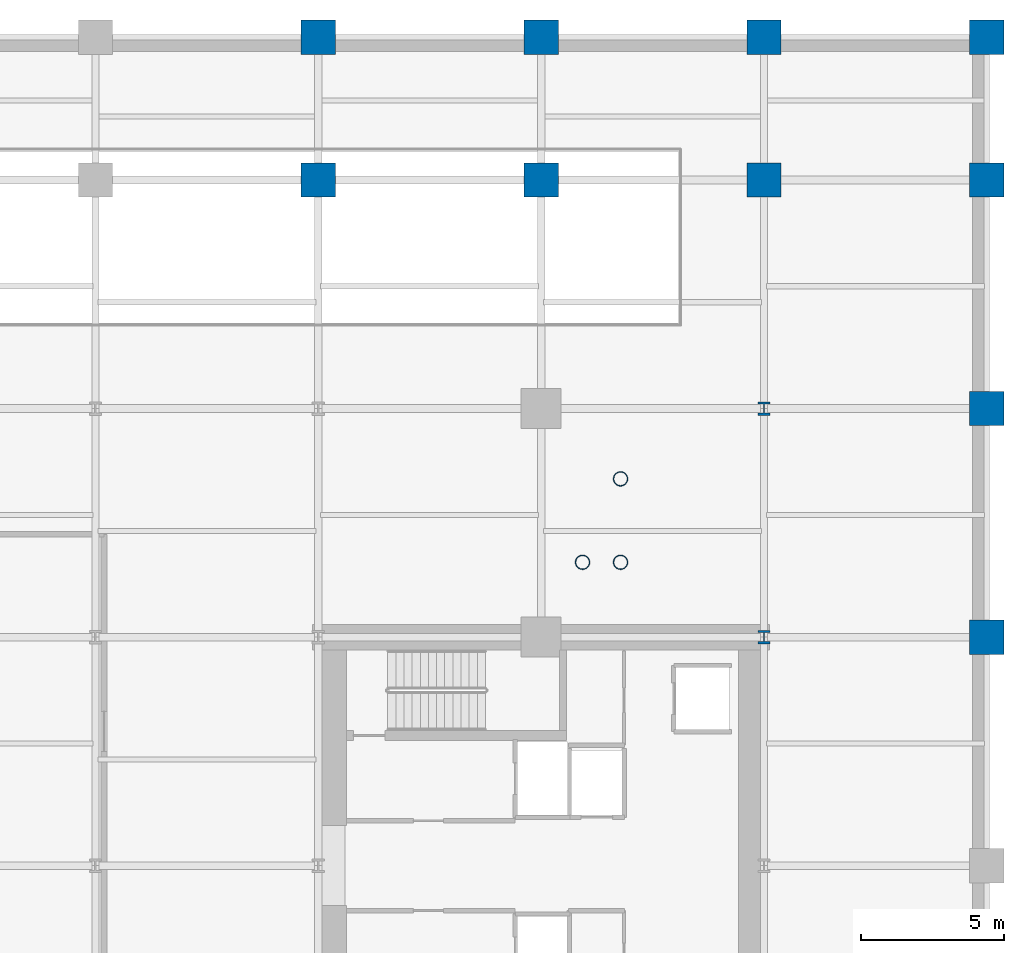
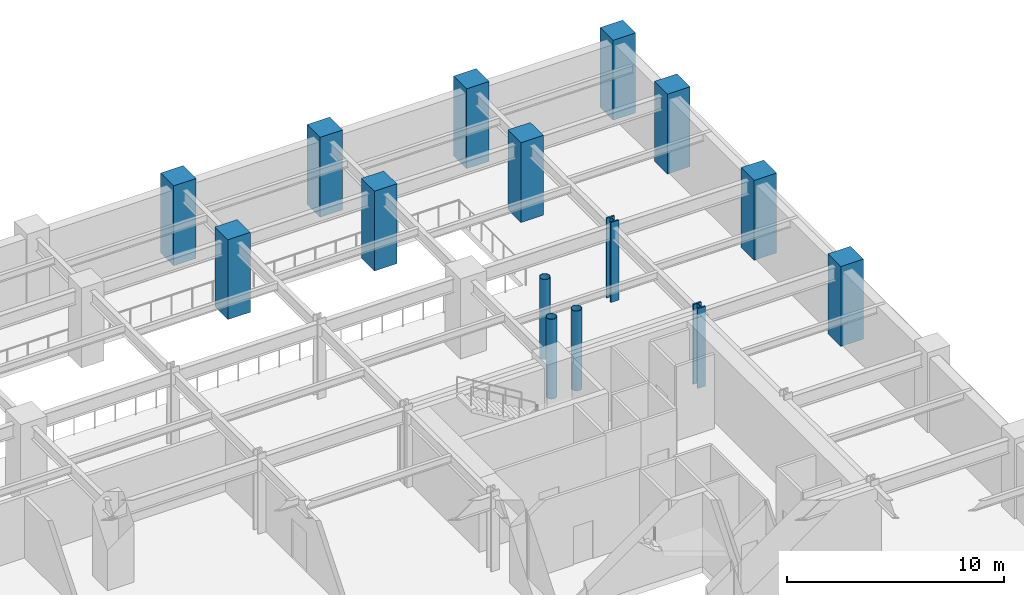
# One storey, part 2 of 10: 15 columns.
"""IFC4 building model written with IfcOpenShell, lengths in metres."""

from ifc_helpers import new_model, si_unit, direction, frame, origin, origin_2d, place, context, subcontext, project, spatial, rectangle, hollow_circle, i_section, extrude, material, material_profile, profile_set, type_object, element, save


model = new_model("IFC4")

# Units and contexts
model_context = context("Model", 3, precision=1e-05, world=origin(), true_north=direction((0.0, 1.0)))
body_context = subcontext(model_context, "Body", "Model", "MODEL_VIEW")
ifc_project = project(units=[si_unit("LENGTHUNIT", "METRE"), si_unit("AREAUNIT", "SQUARE_METRE"), si_unit("VOLUMEUNIT", "CUBIC_METRE"), si_unit("PLANEANGLEUNIT", "RADIAN"), si_unit("MASSUNIT", "GRAM", prefix="KILO")], contexts=[model_context])

# Site, building, storey
site_placement = place(None, origin())
site = spatial("IfcSite", under=ifc_project, at=site_placement, CompositionType="ELEMENT")
building_placement = place(site_placement, origin())
building = spatial("IfcBuilding", under=site, at=building_placement, Name="Veymaron Broadcast Tower", CompositionType="ELEMENT")
storey_placement = place(building_placement, frame((0.0, 0.0, -4.5)))
storey = spatial("IfcBuildingStorey", under=building, at=storey_placement, Name="B1", CompositionType="ELEMENT", Elevation=-4.5)

# Columns
ifc_material_1 = material(Name="Structural steel ASTM A913 Gr 65", Category="steel")
ifc_material_profile_1 = material_profile(ifc_material_1, i_section(OverallWidth=0.424072265625, OverallDepth=0.47412109375, WebThickness=0.047607421875, FlangeThickness=0.076904296875, at=origin_2d()), Name="W360X634")
ifc_profile_set_1 = profile_set([ifc_material_profile_1], Name="Structural steel ASTM A913 Gr 65")
column_type_1 = type_object("IfcColumnType", Name="COL-MC1", PredefinedType="COLUMN", material=ifc_profile_set_1)
for number, where, z_axis, x_axis, name in (
    (1, (54.60009765625, 32.0, 0.0), (0.0, 0.0, 1.0), (1.0, 0.0, 0.0), "B1 column (54.6, 32.0)"),
    (2, (54.60009765625, 40.0, 0.0), (0.0, 0.0, 1.0), (1.0, 0.0, 0.0), "B1 column (54.6, 40.0)"),
):
    element("IfcColumn", number, at=place(storey_placement, frame(where, z_axis=z_axis, x_axis=x_axis)), inside=storey, type_object=column_type_1, Name=name, PredefinedType="COLUMN", context=body_context, shape_type="SweptSolid", body=[
        extrude(i_section(OverallWidth=0.424072265625, OverallDepth=0.47412109375, WebThickness=0.047607421875, FlangeThickness=0.076904296875, at=origin_2d()), origin(), (0.0, 0.0, 1.0), 4.4951171875),
    ])
ifc_material_2 = material(Name="Structural steel ASTM A992 Gr 50", Category="steel")
ifc_material_profile_2 = material_profile(ifc_material_2, hollow_circle(Radius=0.25390625, WallThickness=0.02001953125, at=origin_2d()), Name="CHS508X20")
ifc_profile_set_2 = profile_set([ifc_material_profile_2], Name="Structural steel ASTM A992 Gr 50")
column_type_2 = type_object("IfcColumnType", Name="COL-PL2", PredefinedType="COLUMN", material=ifc_profile_set_2)
for number, where, z_axis, x_axis, name in (
    (3, (48.25, 34.6201171875, 0.0), (0.0, 0.0, 1.0), (1.0, 0.0, 0.0), "B1 feature stair support column"),
    (4, (49.580078125, 34.6201171875, 0.0), (0.0, 0.0, 1.0), (1.0, 0.0, 0.0), "B1 feature stair support column"),
    (5, (49.580078125, 37.5400390625, 0.0), (0.0, 0.0, 1.0), (1.0, 0.0, 0.0), "B1 feature stair support column"),
):
    element("IfcColumn", number, at=place(storey_placement, frame(where, z_axis=z_axis, x_axis=x_axis)), inside=storey, type_object=column_type_2, Name=name, PredefinedType="COLUMN", context=body_context, shape_type="SweptSolid", body=[
        extrude(hollow_circle(Radius=0.25390625, WallThickness=0.02001953125, at=origin_2d()), origin(), (0.0, 0.0, 1.0), 4.493896484375),
    ])
ifc_material_3 = material(Name="Concrete C60/75", Category="concrete")
ifc_material_profile_3 = material_profile(ifc_material_3, rectangle(XDim=1.199951171875, YDim=1.199951171875, at=origin_2d()), Name="RC1200X1200")
ifc_profile_set_3 = profile_set([ifc_material_profile_3], Name="Concrete C60/75")
column_type_3 = type_object("IfcColumnType", Name="COL-RC2", PredefinedType="COLUMN", material=ifc_profile_set_3)
for number, where, z_axis, x_axis, name in (
    (6, (39.0, 48.0, 0.0), (0.0, 0.0, 1.0), (1.0, 0.0, 0.0), "B1 column (39.0, 48.0)"),
    (7, (39.0, 53.0, 0.0), (0.0, 0.0, 1.0), (1.0, 0.0, 0.0), "B1 column (39.0, 53.0)"),
    (8, (46.800048828125, 48.0, 0.0), (0.0, 0.0, 1.0), (1.0, 0.0, 0.0), "B1 column (46.8, 48.0)"),
    (9, (46.800048828125, 53.0, 0.0), (0.0, 0.0, 1.0), (1.0, 0.0, 0.0), "B1 column (46.8, 53.0)"),
    (10, (54.60009765625, 48.0, 0.0), (0.0, 0.0, 1.0), (1.0, 0.0, 0.0), "B1 column (54.6, 48.0)"),
    (11, (54.60009765625, 53.0, 0.0), (0.0, 0.0, 1.0), (1.0, 0.0, 0.0), "B1 column (54.6, 53.0)"),
    (12, (62.39990234375, 32.0, 0.0), (0.0, 0.0, 1.0), (1.0, 0.0, 0.0), "B1 column (62.4, 32.0)"),
    (13, (62.39990234375, 40.0, 0.0), (0.0, 0.0, 1.0), (1.0, 0.0, 0.0), "B1 column (62.4, 40.0)"),
    (14, (62.39990234375, 48.0, 0.0), (0.0, 0.0, 1.0), (1.0, 0.0, 0.0), "B1 column (62.4, 48.0)"),
    (15, (62.39990234375, 53.0, 0.0), (0.0, 0.0, 1.0), (1.0, 0.0, 0.0), "B1 column (62.4, 53.0)"),
):
    element("IfcColumn", number, at=place(storey_placement, frame(where, z_axis=z_axis, x_axis=x_axis)), inside=storey, type_object=column_type_3, Name=name, PredefinedType="COLUMN", context=body_context, shape_type="SweptSolid", body=[
        extrude(rectangle(XDim=1.199951171875, YDim=1.199951171875, at=origin_2d()), origin(), (0.0, 0.0, 1.0), 4.4951171875),
    ])

save(model, "model.ifc")
